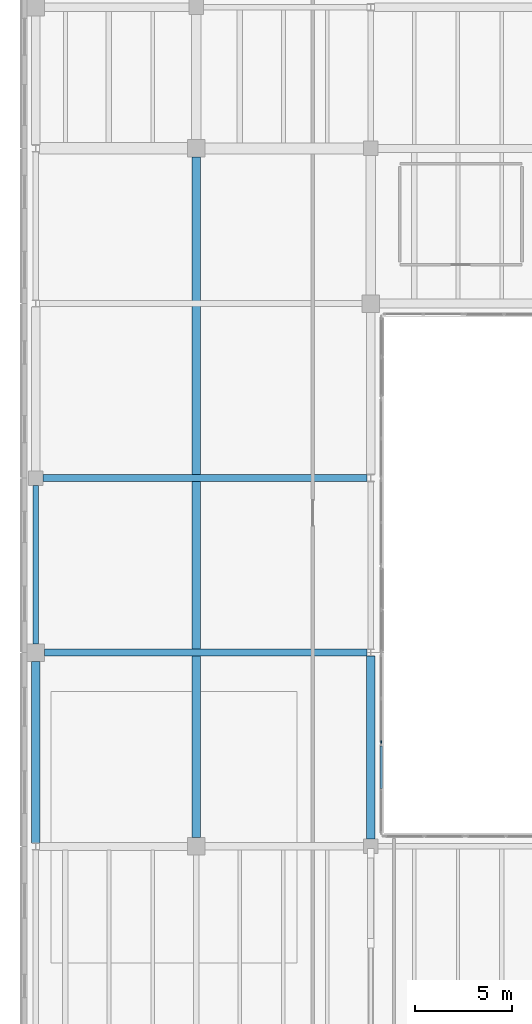
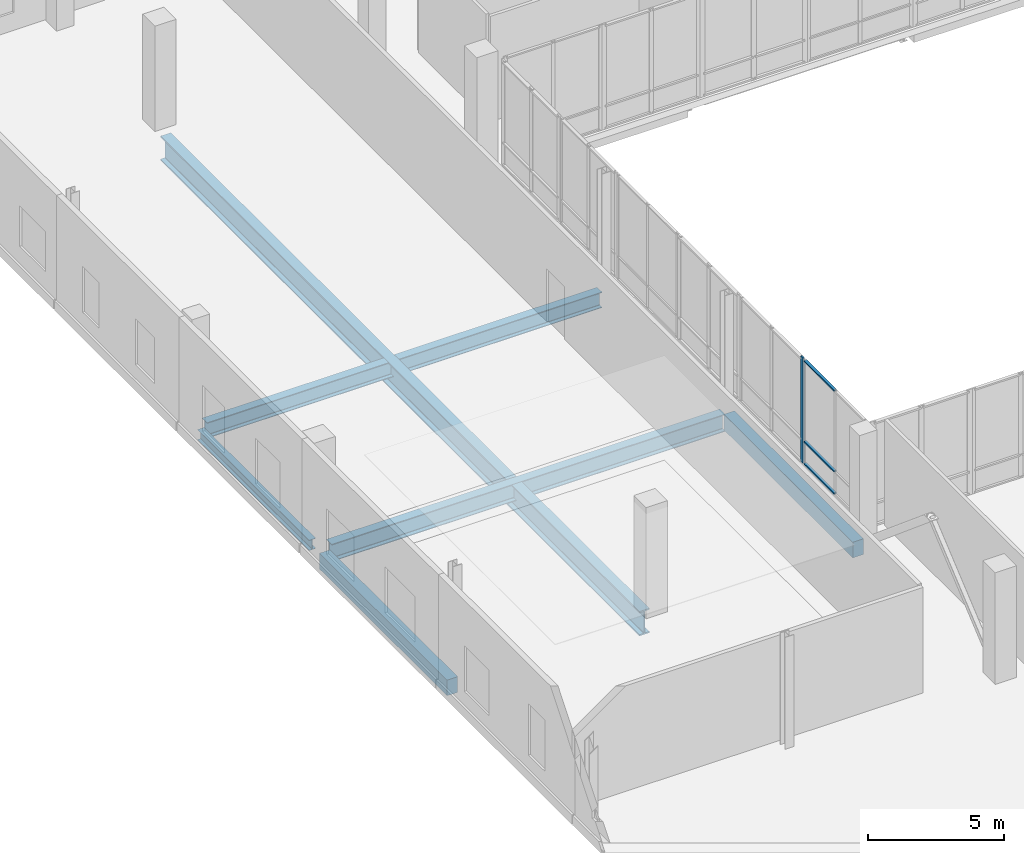
# One storey, part 28 of 73: 6 beams, 4 members, 2 elements without a shape of their own.
"""IFC4 building model written with IfcOpenShell, lengths in metres."""

from ifc_helpers import new_model, si_unit, direction, frame, origin, origin_2d, place, context, subcontext, project, spatial, rectangle, i_section, extrude, material, material_profile, profile_set, type_object, element, aggregate, save


model = new_model("IFC4")

# Units and contexts
model_context = context("Model", 3, precision=1e-05, world=origin(), true_north=direction((0.0, 1.0)))
body_context = subcontext(model_context, "Body", "Model", "MODEL_VIEW")
ifc_project = project(units=[si_unit("LENGTHUNIT", "METRE"), si_unit("AREAUNIT", "SQUARE_METRE"), si_unit("VOLUMEUNIT", "CUBIC_METRE"), si_unit("PLANEANGLEUNIT", "RADIAN"), si_unit("MASSUNIT", "GRAM", prefix="KILO")], contexts=[model_context])

# Site, building, storey
site_placement = place(None, origin())
site = spatial("IfcSite", under=ifc_project, at=site_placement, CompositionType="ELEMENT")
building_placement = place(site_placement, origin())
building = spatial("IfcBuilding", under=site, at=building_placement, Name="Trimount Lyric Opera House", CompositionType="ELEMENT")
storey_placement = place(building_placement, frame((0.0, 0.0, 10.0)))
storey = spatial("IfcBuildingStorey", under=building, at=storey_placement, Name="L02", CompositionType="ELEMENT", Elevation=10.0)

# Beams
ifc_material_1 = material(Name="Steel ASTM A992 Grade 50", Category="steel")
ifc_material_profile_1 = material_profile(ifc_material_1, i_section(OverallWidth=0.382080078125, OverallDepth=0.779052734375, WebThickness=0.01806640625, FlangeThickness=0.0302734375, FilletRadius=0.01904296875, at=origin_2d()), Name="W30X191")
ifc_profile_set_1 = profile_set([ifc_material_profile_1], Name="Steel ASTM A992 Grade 50")
beam_type_1 = type_object("IfcBeamType", Name="B-06", PredefinedType="BEAM", material=ifc_profile_set_1)
beam_1_placement = place(storey_placement, frame((1.169921875, 84.0, -0.66943359375), z_axis=(1.0, 0.0, 0.0), x_axis=(0.0, 1.0, 0.0)))
element("IfcBeam", 1, at=beam_1_placement, inside=storey, type_object=beam_type_1, Name="L02 girder X-0773", PredefinedType="BEAM", context=body_context, shape_type="SweptSolid", body=[
    extrude(i_section(OverallWidth=0.382080078125, OverallDepth=0.779052734375, WebThickness=0.01806640625, FlangeThickness=0.0302734375, FilletRadius=0.01904296875, at=origin_2d()), origin(), (0.0, 0.0, 1.0), 16.64599609375),
])
ifc_material_2 = material(Name="Steel ASTM A992 Grade 50", Category="steel")
ifc_material_profile_2 = material_profile(ifc_material_2, i_section(OverallWidth=0.35595703125, OverallDepth=0.700927734375, WebThickness=0.016845703125, FlangeThickness=0.02734375, FilletRadius=0.01806640625, at=origin_2d()), Name="W27X161")
ifc_profile_set_2 = profile_set([ifc_material_profile_2], Name="Steel ASTM A992 Grade 50")
beam_type_2 = type_object("IfcBeamType", Name="B-08", PredefinedType="BEAM", material=ifc_profile_set_2)
beam_2_placement = place(storey_placement, frame((1.094970703125, 93.0, -0.630615234375), z_axis=(1.0, 0.0, 0.0), x_axis=(0.0, 1.0, 0.0)))
element("IfcBeam", 2, at=beam_2_placement, inside=storey, type_object=beam_type_2, Name="L02 girder X-0782", PredefinedType="BEAM", context=body_context, shape_type="SweptSolid", body=[
    extrude(i_section(OverallWidth=0.35595703125, OverallDepth=0.700927734375, WebThickness=0.016845703125, FlangeThickness=0.02734375, FilletRadius=0.01806640625, at=origin_2d()), origin(), (0.0, 0.0, 1.0), 16.718505859375),
])

# Curtain wall, member
ifc_material_3 = material(Name="Thermally Broken Aluminium and Low-E Glass", Category="aluminium")
curtain_wall_type = type_object("IfcCurtainWallType", Name="CW-03", PredefinedType="NOTDEFINED", material=ifc_material_3)
curtain_wall_1_placement = place(storey_placement, origin())
curtain_wall_1 = element("IfcCurtainWall", 3, at=curtain_wall_1_placement, inside=storey, type_object=curtain_wall_type, Name="L02 curtain wall 220", PredefinedType="NOTDEFINED")
ifc_material_4 = material(Name="Anodised Aluminium 6063-T6", Category="aluminium")
ifc_material_profile_3 = material_profile(ifc_material_4, rectangle(XDim=0.06494140625, YDim=0.179931640625, at=origin_2d()), Name="ALU-MULL-65X180")
ifc_profile_set_3 = profile_set([ifc_material_profile_3], Name="Anodised Aluminium 6063-T6")
member_type_1 = type_object("IfcMemberType", Name="ML-02", PredefinedType="MULLION", material=ifc_profile_set_3)
member_1_placement = place(storey_placement, frame((18.5400390625, 79.37255859375, 0.0), z_axis=(0.0, 0.0, 1.0), x_axis=(1.0, 0.0, 0.0)))
member_1 = element("IfcMember", 4, at=member_1_placement, type_object=member_type_1, Name="CW-03 mullion 3", PredefinedType="MULLION", context=body_context, shape_type="SweptSolid", body=[
    extrude(rectangle(XDim=0.06494140625, YDim=0.179931640625, at=origin_2d()), origin(), (0.0, 0.0, 1.0), 4.719970703125),
])
aggregate(curtain_wall_1, [member_1])

# Beams
ifc_material_5 = material(Name="Steel ASTM A992 Grade 50", Category="steel")
ifc_material_profile_4 = material_profile(ifc_material_5, i_section(OverallWidth=0.281982421875, OverallDepth=0.467041015625, WebThickness=0.01220703125, FlangeThickness=0.01953125, FilletRadius=0.012939453125, at=origin_2d()), Name="W18X86")
ifc_profile_set_4 = profile_set([ifc_material_profile_4], Name="Steel ASTM A992 Grade 50")
beam_type_3 = type_object("IfcBeamType", Name="SP-01", PredefinedType="SPANDREL", material=ifc_profile_set_4)
beam_3_placement = place(storey_placement, frame((0.719970703125, 84.449951171875, -0.513427734375), z_axis=(0.0, 1.0, 0.0), x_axis=(-1.0, 0.0, 0.0)))
element("IfcBeam", 5, at=beam_3_placement, inside=storey, type_object=beam_type_3, Name="L02 girder Y-0831", PredefinedType="SPANDREL", context=body_context, shape_type="SweptSolid", body=[
    extrude(i_section(OverallWidth=0.281982421875, OverallDepth=0.467041015625, WebThickness=0.01220703125, FlangeThickness=0.01953125, FilletRadius=0.012939453125, at=origin_2d()), origin(), (0.0, 0.0, 1.0), 8.175048828125),
])
ifc_material_6 = material(Name="Concrete C40/50", Category="concrete")
ifc_material_profile_5 = material_profile(ifc_material_6, rectangle(XDim=0.449951171875, YDim=0.699951171875, at=origin_2d()), Name="RC450X700")
ifc_profile_set_5 = profile_set([ifc_material_profile_5], Name="Concrete C40/50")
beam_type_4 = type_object("IfcBeamType", Name="SP-02", PredefinedType="SPANDREL", material=ifc_profile_set_5)
beam_4_placement = place(storey_placement, frame((0.719970703125, 74.18408203125, -0.6298828125), z_axis=(0.0, 1.0, 0.0), x_axis=(-1.0, 0.0, 0.0)))
element("IfcBeam", 6, at=beam_4_placement, inside=storey, type_object=beam_type_4, Name="L02 girder Y-0830", PredefinedType="SPANDREL", context=body_context, shape_type="SweptSolid", body=[
    extrude(rectangle(XDim=0.449951171875, YDim=0.699951171875, at=origin_2d()), origin(), (0.0, 0.0, 1.0), 9.365966796875),
])
beam_5_placement = place(storey_placement, frame((18.0, 74.375, -0.6298828125), z_axis=(0.0, 1.0, 0.0), x_axis=(-1.0, 0.0, 0.0)))
element("IfcBeam", 7, at=beam_5_placement, inside=storey, type_object=beam_type_4, Name="L02 girder Y-0840", PredefinedType="SPANDREL", context=body_context, shape_type="SweptSolid", body=[
    extrude(rectangle(XDim=0.449951171875, YDim=0.699951171875, at=origin_2d()), origin(), (0.0, 0.0, 1.0), 9.447021484375),
])
ifc_material_7 = material(Name="Steel ASTM A992 Grade 50", Category="steel")
ifc_material_profile_6 = material_profile(ifc_material_7, i_section(OverallWidth=0.427001953125, OverallDepth=1.092041015625, WebThickness=0.031005859375, FlangeThickness=0.055908203125, FilletRadius=0.02490234375, at=origin_2d()), Name="W40X397")
ifc_profile_set_6 = profile_set([ifc_material_profile_6], Name="Steel ASTM A992 Grade 50")
beam_type_5 = type_object("IfcBeamType", Name="TG-02", PredefinedType="USERDEFINED", material=ifc_profile_set_6)
beam_6_placement = place(storey_placement, frame((9.0, 74.449951171875, -0.825927734375), z_axis=(0.0, 1.0, 0.0), x_axis=(-1.0, 0.0, 0.0)))
element("IfcBeam", 8, at=beam_6_placement, inside=storey, type_object=beam_type_5, Name="L02 girder Y-0836", ObjectType="TRANSFER_GIRDER", PredefinedType="USERDEFINED", context=body_context, shape_type="SweptSolid", body=[
    extrude(i_section(OverallWidth=0.427001953125, OverallDepth=1.092041015625, WebThickness=0.031005859375, FlangeThickness=0.055908203125, FilletRadius=0.02490234375, at=origin_2d()), origin(), (0.0, 0.0, 1.0), 35.10009765625),
])

# Curtain wall, members
curtain_wall_2_placement = place(storey_placement, origin())
curtain_wall_2 = element("IfcCurtainWall", 9, at=curtain_wall_2_placement, inside=storey, type_object=curtain_wall_type, Name="L02 curtain wall 221", PredefinedType="NOTDEFINED")
ifc_material_8 = material(Name="Anodised Aluminium 6063-T6", Category="aluminium")
ifc_material_profile_7 = material_profile(ifc_material_8, rectangle(XDim=0.114990234375, YDim=0.06005859375, at=origin_2d()), Name="ALU-TRAN-60X115")
ifc_profile_set_7 = profile_set([ifc_material_profile_7], Name="Anodised Aluminium 6063-T6")
member_type_2 = type_object("IfcMemberType", Name="TR-03", PredefinedType="USERDEFINED", material=ifc_profile_set_7)
member_2_placement = place(storey_placement, frame((18.5400390625, 79.18994140625, 0.0576171875), z_axis=(0.0, -1.0, 0.0), x_axis=(1.0, 0.0, 0.0)))
member_2 = element("IfcMember", 10, at=member_2_placement, type_object=member_type_2, Name="CW-03 transom 1.1", ObjectType="TRANSOM", PredefinedType="USERDEFINED", context=body_context, shape_type="SweptSolid", body=[
    extrude(rectangle(XDim=0.114990234375, YDim=0.06005859375, at=origin_2d()), origin(), (0.0, 0.0, 1.0), 2.19482421875),
])
member_3_placement = place(storey_placement, frame((18.5400390625, 79.18994140625, 1.050048828125), z_axis=(0.0, -1.0, 0.0), x_axis=(1.0, 0.0, 0.0)))
member_3 = element("IfcMember", 11, at=member_3_placement, type_object=member_type_2, Name="CW-03 transom 1.2", ObjectType="TRANSOM", PredefinedType="USERDEFINED", context=body_context, shape_type="SweptSolid", body=[
    extrude(rectangle(XDim=0.114990234375, YDim=0.06005859375, at=origin_2d()), origin(), (0.0, 0.0, 1.0), 2.19482421875),
])
member_4_placement = place(storey_placement, frame((18.5400390625, 79.18994140625, 4.66259765625), z_axis=(0.0, -1.0, 0.0), x_axis=(1.0, 0.0, 0.0)))
member_4 = element("IfcMember", 12, at=member_4_placement, type_object=member_type_2, Name="CW-03 transom 1.3", ObjectType="TRANSOM", PredefinedType="USERDEFINED", context=body_context, shape_type="SweptSolid", body=[
    extrude(rectangle(XDim=0.114990234375, YDim=0.06005859375, at=origin_2d()), origin(), (0.0, 0.0, 1.0), 2.19482421875),
])
aggregate(curtain_wall_2, [member_2, member_3, member_4])

save(model, "model.ifc")
